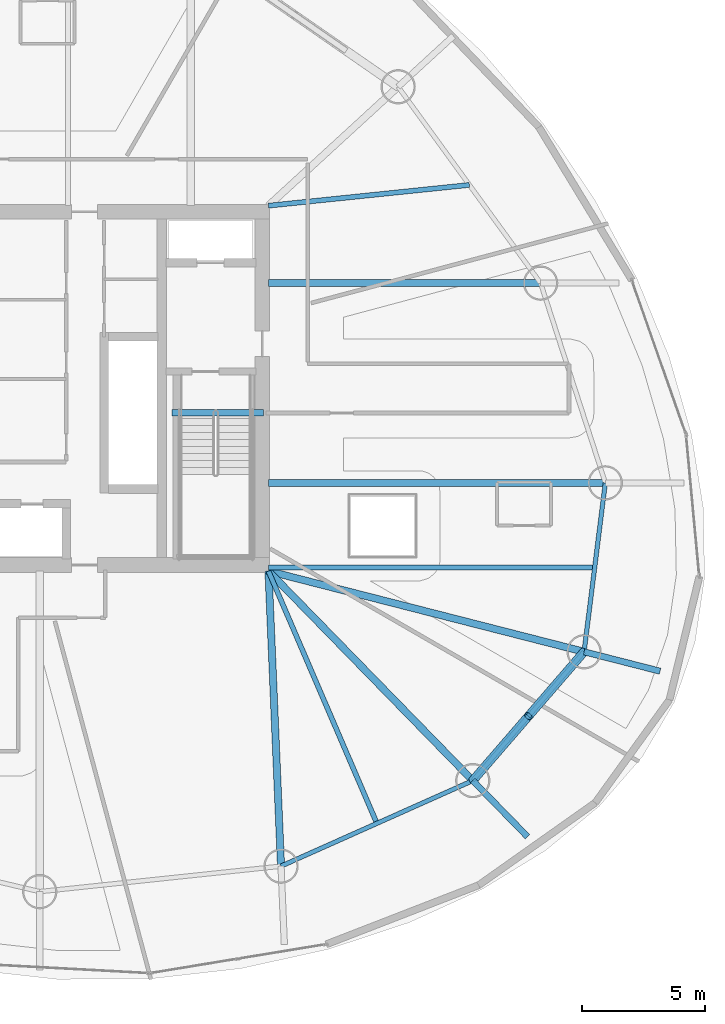
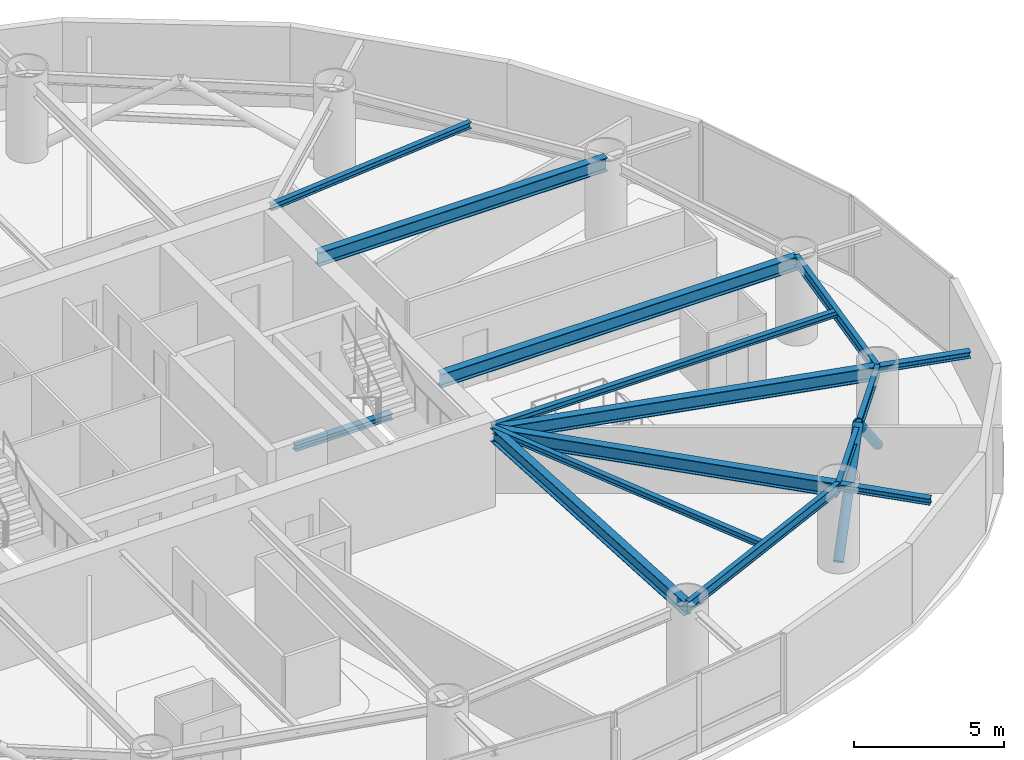
# One storey, part 8 of 20: 14 beams, 2 members.
"""IFC4 building model written with IfcOpenShell, lengths in metres."""

from ifc_helpers import new_model, si_unit, direction, frame, origin, origin_2d, place, context, subcontext, project, spatial, hollow_circle, i_section, extrude, material, material_profile, profile_set, type_object, element, save


model = new_model("IFC4")

# Units and contexts
model_context = context("Model", 3, precision=1e-05, world=origin(), true_north=direction((0.0, 1.0)))
body_context = subcontext(model_context, "Body", "Model", "MODEL_VIEW")
ifc_project = project(units=[si_unit("LENGTHUNIT", "METRE"), si_unit("AREAUNIT", "SQUARE_METRE"), si_unit("VOLUMEUNIT", "CUBIC_METRE"), si_unit("PLANEANGLEUNIT", "RADIAN"), si_unit("MASSUNIT", "GRAM", prefix="KILO")], contexts=[model_context])

# Site, building, storey
site_placement = place(None, origin())
site = spatial("IfcSite", under=ifc_project, at=site_placement, CompositionType="ELEMENT")
building_placement = place(site_placement, origin())
building = spatial("IfcBuilding", under=site, at=building_placement, Name="Bramvorn Convention Spire", CompositionType="ELEMENT")
storey_placement = place(building_placement, frame((0.0, 0.0, 130.800048828125)))
storey = spatial("IfcBuildingStorey", under=building, at=storey_placement, Name="L32", CompositionType="ELEMENT", Elevation=130.800048828125)

# Beams
ifc_material = material(Name="Steel CSA G40.21 Grade 350 (350W)", Category="steel")
ifc_material_profile_1 = material_profile(ifc_material, i_section(OverallWidth=0.201904296875, OverallDepth=0.2470703125, WebThickness=0.00732421875, FlangeThickness=0.010986328125, FilletRadius=0.011962890625, at=origin_2d()))
ifc_profile_set_1 = profile_set([ifc_material_profile_1], Name="Steel CSA G40.21 Grade 350 (350W) - W250X49")
beam_type_1 = type_object("IfcBeamType", Name="BM-W250X49", PredefinedType="JOIST", material=ifc_profile_set_1)
beam_1_placement = place(storey_placement, frame((49.25, 18.705078125, 3.136474609375), z_axis=(1.0, 0.0, 0.0), x_axis=(0.0, 1.0, 0.0)))
element("IfcBeam", 1, at=beam_1_placement, inside=storey, type_object=beam_type_1, Name="L32 composite floor joist 01", PredefinedType="JOIST", context=body_context, shape_type="SweptSolid", body=[
    extrude(i_section(OverallWidth=0.201904296875, OverallDepth=0.2470703125, WebThickness=0.00732421875, FlangeThickness=0.010986328125, FilletRadius=0.011962890625, at=origin_2d()), origin(), (0.0, 0.0, 1.0), 13.30078125),
])
beam_2_placement = place(storey_placement, frame((49.25, 33.449951171875, 3.136474609375), z_axis=(0.994705076194, 0.102770673804, 0.0), x_axis=(-0.102770673804, 0.994705076194, 0.0)))
element("IfcBeam", 2, at=beam_2_placement, inside=storey, type_object=beam_type_1, Name="L32 composite floor joist 03", PredefinedType="JOIST", context=body_context, shape_type="SweptSolid", body=[
    extrude(i_section(OverallWidth=0.201904296875, OverallDepth=0.2470703125, WebThickness=0.00732421875, FlangeThickness=0.010986328125, FilletRadius=0.011962890625, at=origin_2d()), origin(), (0.0, 0.0, 1.0), 8.23388671875),
])
beam_3_placement = place(storey_placement, frame((49.25, 18.550048828125, 3.136474609375), z_axis=(0.394937739893, -0.918707886985, 0.0), x_axis=(0.918707886985, 0.394937739893, 0.0)))
element("IfcBeam", 3, at=beam_3_placement, inside=storey, type_object=beam_type_1, Name="L32 composite floor joist 15", PredefinedType="JOIST", context=body_context, shape_type="SweptSolid", body=[
    extrude(i_section(OverallWidth=0.201904296875, OverallDepth=0.2470703125, WebThickness=0.00732421875, FlangeThickness=0.010986328125, FilletRadius=0.011962890625, at=origin_2d()), origin(), (0.0, 0.0, 1.0), 11.19384765625),
])
ifc_material_profile_2 = material_profile(ifc_material, i_section(OverallWidth=0.25390625, OverallDepth=0.2529296875, WebThickness=0.008544921875, FlangeThickness=0.01416015625, FilletRadius=0.011962890625, at=origin_2d()))
ifc_profile_set_2 = profile_set([ifc_material_profile_2], Name="Steel CSA G40.21 Grade 350 (350W) - W250X73")
beam_type_2 = type_object("IfcBeamType", Name="BM-W250X73", PredefinedType="BEAM", material=ifc_profile_set_2)
for number, where, z_axis, x_axis, name in (
    (4, (62.11767578125, 15.26220703125, 3.1083984375), (0.968868276357, -0.24757678217, 0.0), (0.24757678217, 0.968868276357, 0.0), "L32 slab-edge cantilever tip beam MC01"),
    (5, (57.579833984375, 10.0107421875, 3.1083984375), (0.69827808588, -0.715826595468, 0.0), (0.715826595468, 0.69827808588, 0.0), "L32 slab-edge cantilever tip beam MC16"),
):
    element("IfcBeam", number, at=place(storey_placement, frame(where, z_axis=z_axis, x_axis=x_axis)), inside=storey, type_object=beam_type_2, Name=name, PredefinedType="BEAM", context=body_context, shape_type="SweptSolid", body=[
        extrude(i_section(OverallWidth=0.25390625, OverallDepth=0.2529296875, WebThickness=0.008544921875, FlangeThickness=0.01416015625, FilletRadius=0.011962890625, at=origin_2d()), origin(), (0.0, 0.0, 1.0), 3.199951171875),
    ])
beam_4_placement = place(storey_placement, frame((45.31005859375, 25.010009765625, -0.12646484375), z_axis=(1.0, 0.0, 0.0), x_axis=(0.0, 1.0, 0.0)))
element("IfcBeam", 6, at=beam_4_placement, inside=storey, type_object=beam_type_2, Name="L32 ST2 stair arrival header beam", PredefinedType="BEAM", context=body_context, shape_type="SweptSolid", body=[
    extrude(i_section(OverallWidth=0.25390625, OverallDepth=0.2529296875, WebThickness=0.008544921875, FlangeThickness=0.01416015625, FilletRadius=0.011962890625, at=origin_2d()), origin(), (0.0, 0.0, 1.0), 3.739990234375),
])
ifc_material_profile_3 = material_profile(ifc_material, i_section(OverallWidth=0.180908203125, OverallDepth=0.4169921875, WebThickness=0.010986328125, FlangeThickness=0.018310546875, FilletRadius=0.01611328125, at=origin_2d()))
ifc_profile_set_3 = profile_set([ifc_material_profile_3], Name="Steel CSA G40.21 Grade 350 (350W) - W410X85")
beam_type_3 = type_object("IfcBeamType", Name="BM-W410X85", PredefinedType="JOIST", material=ifc_profile_set_3)
beam_5_placement = place(storey_placement, frame((62.11767578125, 15.26220703125, 3.051513671875), z_axis=(0.124775053879, 0.992185056292, 0.0), x_axis=(-0.992185056292, 0.124775053879, 0.0)))
element("IfcBeam", 7, at=beam_5_placement, inside=storey, type_object=beam_type_3, Name="L32 mega-column ring beam 01", PredefinedType="JOIST", context=body_context, shape_type="SweptSolid", body=[
    extrude(i_section(OverallWidth=0.180908203125, OverallDepth=0.4169921875, WebThickness=0.010986328125, FlangeThickness=0.018310546875, FilletRadius=0.01611328125, at=origin_2d()), origin(), (0.0, 0.0, 1.0), 6.940185546875),
])
beam_6_placement = place(storey_placement, frame((49.76171875, 6.521240234375, 3.051513671875), z_axis=(0.913169534701, 0.407579931908, 0.0), x_axis=(-0.407579931908, 0.913169534701, 0.0)))
element("IfcBeam", 8, at=beam_6_placement, inside=storey, type_object=beam_type_3, Name="L32 mega-column ring beam 15", PredefinedType="JOIST", context=body_context, shape_type="SweptSolid", body=[
    extrude(i_section(OverallWidth=0.180908203125, OverallDepth=0.4169921875, WebThickness=0.010986328125, FlangeThickness=0.018310546875, FilletRadius=0.01611328125, at=origin_2d()), origin(), (0.0, 0.0, 1.0), 8.5615234375),
])
beam_7_placement = place(storey_placement, frame((57.579833984375, 10.0107421875, 3.051513671875), z_axis=(0.653824993824, 0.756645807132, 0.0), x_axis=(-0.756645807132, 0.653824993824, 0.0)))
element("IfcBeam", 9, at=beam_7_placement, inside=storey, type_object=beam_type_3, Name="L32 mega-column ring beam 16", PredefinedType="JOIST", context=body_context, shape_type="SweptSolid", body=[
    extrude(i_section(OverallWidth=0.180908203125, OverallDepth=0.4169921875, WebThickness=0.010986328125, FlangeThickness=0.018310546875, FilletRadius=0.01611328125, at=origin_2d()), origin(), (0.0, 0.0, 1.0), 6.9404296875),
])
ifc_material_profile_4 = material_profile(ifc_material, i_section(OverallWidth=0.2919921875, OverallDepth=0.551025390625, WebThickness=0.01513671875, FlangeThickness=0.0244140625, FilletRadius=0.01904296875, at=origin_2d()))
ifc_profile_set_4 = profile_set([ifc_material_profile_4], Name="Steel CSA G40.21 Grade 350 (350W) - W530X182")
beam_type_4 = type_object("IfcBeamType", Name="BM-W530X182", PredefinedType="BEAM", material=ifc_profile_set_4)
beam_8_placement = place(storey_placement, frame((49.25, 18.550048828125, 2.984375), z_axis=(0.968872976577, -0.247558387576, 0.0), x_axis=(0.247558387576, 0.968872976577, 0.0)))
element("IfcBeam", 10, at=beam_8_placement, inside=storey, type_object=beam_type_4, Name="L32 radial floor girder MC01", PredefinedType="BEAM", context=body_context, shape_type="SweptSolid", body=[
    extrude(i_section(OverallWidth=0.2919921875, OverallDepth=0.551025390625, WebThickness=0.01513671875, FlangeThickness=0.0244140625, FilletRadius=0.01904296875, at=origin_2d()), origin(), (0.0, 0.0, 1.0), 13.281005859375),
])
beam_9_placement = place(storey_placement, frame((49.25, 22.148193359375, 2.984375), z_axis=(1.0, 0.0, 0.0), x_axis=(0.0, 1.0, 0.0)))
element("IfcBeam", 11, at=beam_9_placement, inside=storey, type_object=beam_type_4, Name="L32 radial floor girder MC02", PredefinedType="BEAM", context=body_context, shape_type="SweptSolid", body=[
    extrude(i_section(OverallWidth=0.2919921875, OverallDepth=0.551025390625, WebThickness=0.01513671875, FlangeThickness=0.0244140625, FilletRadius=0.01904296875, at=origin_2d()), origin(), (0.0, 0.0, 1.0), 13.733642578125),
])
beam_10_placement = place(storey_placement, frame((49.25, 30.293212890625, 2.984375), z_axis=(1.0, 0.0, 0.0), x_axis=(0.0, 1.0, 0.0)))
element("IfcBeam", 12, at=beam_10_placement, inside=storey, type_object=beam_type_4, Name="L32 radial floor girder MC03", PredefinedType="BEAM", context=body_context, shape_type="SweptSolid", body=[
    extrude(i_section(OverallWidth=0.2919921875, OverallDepth=0.551025390625, WebThickness=0.01513671875, FlangeThickness=0.0244140625, FilletRadius=0.01904296875, at=origin_2d()), origin(), (0.0, 0.0, 1.0), 11.095703125),
])
beam_11_placement = place(storey_placement, frame((49.25, 18.550048828125, 2.984375), z_axis=(0.042502657955, -0.999096353745, 0.0), x_axis=(0.999096353745, 0.042502657955, 0.0)))
element("IfcBeam", 13, at=beam_11_placement, inside=storey, type_object=beam_type_4, Name="L32 radial floor girder MC15", PredefinedType="BEAM", context=body_context, shape_type="SweptSolid", body=[
    extrude(i_section(OverallWidth=0.2919921875, OverallDepth=0.551025390625, WebThickness=0.01513671875, FlangeThickness=0.0244140625, FilletRadius=0.01904296875, at=origin_2d()), origin(), (0.0, 0.0, 1.0), 12.039794921875),
])
beam_12_placement = place(storey_placement, frame((49.25, 18.550048828125, 2.984375), z_axis=(0.698272445638, -0.715832097397, 0.0), x_axis=(0.715832097397, 0.698272445638, 0.0)))
element("IfcBeam", 14, at=beam_12_placement, inside=storey, type_object=beam_type_4, Name="L32 radial floor girder MC16", PredefinedType="BEAM", context=body_context, shape_type="SweptSolid", body=[
    extrude(i_section(OverallWidth=0.2919921875, OverallDepth=0.551025390625, WebThickness=0.01513671875, FlangeThickness=0.0244140625, FilletRadius=0.01904296875, at=origin_2d()), origin(), (0.0, 0.0, 1.0), 11.92919921875),
])

# Members
ifc_material_profile_5 = material_profile(ifc_material, hollow_circle(Radius=0.177734375, WallThickness=0.015869140625, at=origin_2d()))
ifc_profile_set_5 = profile_set([ifc_material_profile_5], Name="Steel CSA G40.21 Grade 350 (350W) - CHS356X16")
member_type = type_object("IfcMemberType", Name="MBR-CHS356X16", PredefinedType="BRACE", material=ifc_profile_set_5)
member_1_placement = place(storey_placement, frame((57.579833984375, 10.0107421875, 0.0), z_axis=(0.476512423349, 0.551478652009, 0.684694973526), x_axis=(-0.756663209553, 0.653804854149, 0.0)))
element("IfcMember", 15, at=member_1_placement, inside=storey, type_object=member_type, Name="L32 perimeter Gothic lancet brace 16A", PredefinedType="BRACE", context=body_context, shape_type="SweptSolid", body=[
    extrude(hollow_circle(Radius=0.177734375, WallThickness=0.015869140625, at=origin_2d()), origin(), (0.0, 0.0, 1.0), 4.76123046875),
])
member_2_placement = place(storey_placement, frame((62.11767578125, 15.26220703125, 0.0), z_axis=(-0.476552055337, -0.551465177012, 0.684678243481), x_axis=(0.756628404976, -0.65384513211, 0.0)))
element("IfcMember", 16, at=member_2_placement, inside=storey, type_object=member_type, Name="L32 perimeter Gothic lancet brace 16B", PredefinedType="BRACE", context=body_context, shape_type="SweptSolid", body=[
    extrude(hollow_circle(Radius=0.177734375, WallThickness=0.015869140625, at=origin_2d()), origin(), (0.0, 0.0, 1.0), 4.761474609375),
])

save(model, "model.ifc")
